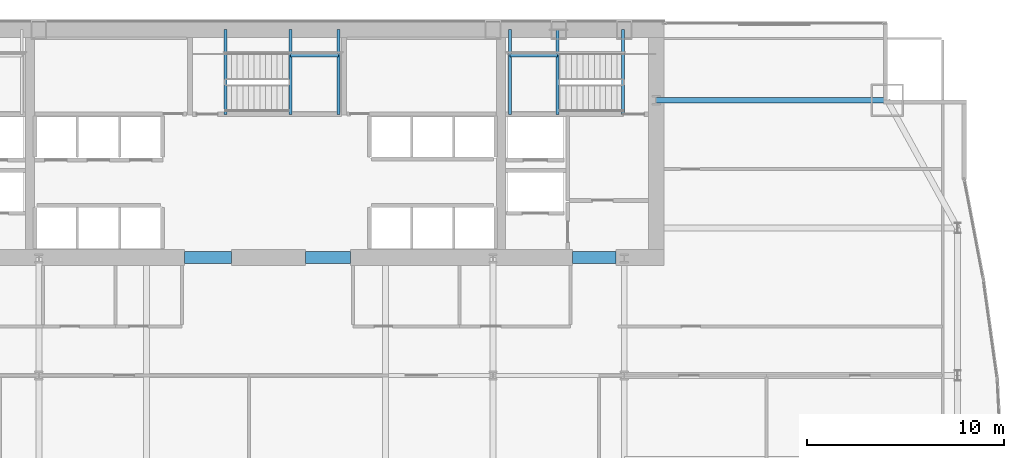
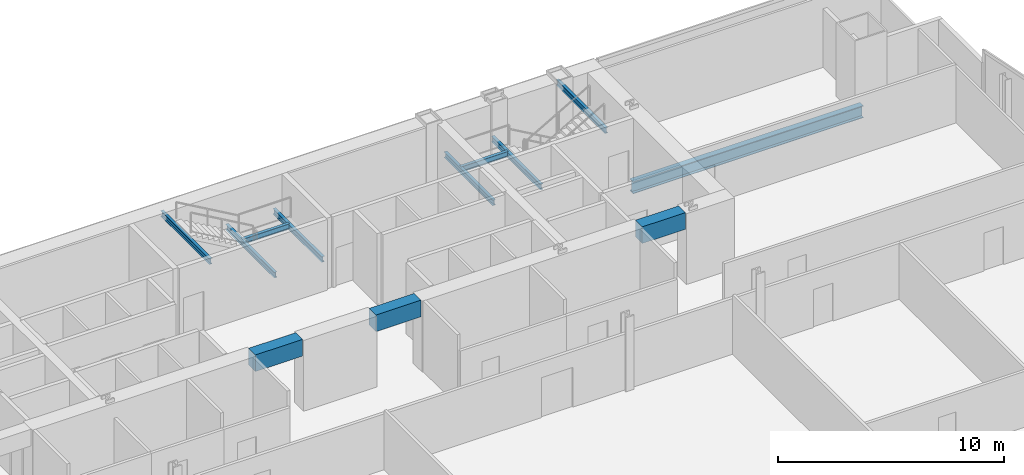
# One storey, part 19 of 37: 12 beams.
"""IFC4 building model written with IfcOpenShell, lengths in metres."""

from ifc_helpers import new_model, si_unit, direction, frame, origin, origin_2d, place, context, subcontext, project, spatial, rectangle, i_section, extrude, material, material_profile, profile_set, type_object, element, save


model = new_model("IFC4")

# Units and contexts
model_context = context("Model", 3, precision=1e-05, world=origin(), true_north=direction((0.0, 1.0)))
body_context = subcontext(model_context, "Body", "Model", "MODEL_VIEW")
ifc_project = project(units=[si_unit("LENGTHUNIT", "METRE"), si_unit("AREAUNIT", "SQUARE_METRE"), si_unit("VOLUMEUNIT", "CUBIC_METRE"), si_unit("PLANEANGLEUNIT", "RADIAN"), si_unit("MASSUNIT", "GRAM", prefix="KILO")], contexts=[model_context])

# Site, building, storey
site_placement = place(None, origin())
site = spatial("IfcSite", under=ifc_project, at=site_placement, CompositionType="ELEMENT")
building_placement = place(site_placement, origin())
building = spatial("IfcBuilding", under=site, at=building_placement, Name="Khoronbel Lancet Exchange", CompositionType="ELEMENT")
storey_placement = place(building_placement, frame((0.0, 0.0, 45.800048828125)))
storey = spatial("IfcBuildingStorey", under=building, at=storey_placement, Name="L10", CompositionType="ELEMENT", Elevation=45.800048828125)

# Beams
ifc_material_1 = material(Name="Steel S355", Category="steel")
ifc_material_profile_1 = material_profile(ifc_material_1, i_section(OverallWidth=0.14990234375, OverallDepth=0.300048828125, WebThickness=0.007080078125, FlangeThickness=0.0107421875, at=origin_2d()), Name="IPE 300")
ifc_profile_set_1 = profile_set([ifc_material_profile_1], Name="Steel S355")
beam_type_1 = type_object("IfcBeamType", Name="BM-BJ8", PredefinedType="JOIST", material=ifc_profile_set_1)
for number, where, z_axis, x_axis, name in (
    (1, (51.2900390625, 48.97998046875, 1.64990234375), (0.0, 1.0, 0.0), (-1.0, 0.0, 0.0), "Level L10 stair ST2 landing bearer beam 1"),
    (2, (48.8701171875, 48.97998046875, 1.64990234375), (0.0, 1.0, 0.0), (-1.0, 0.0, 0.0), "Level L10 stair ST2 rear landing bearer beam 1"),
):
    element("IfcBeam", number, at=place(storey_placement, frame(where, z_axis=z_axis, x_axis=x_axis)), inside=storey, type_object=beam_type_1, Name=name, PredefinedType="JOIST", context=body_context, shape_type="SweptSolid", body=[
        extrude(i_section(OverallWidth=0.14990234375, OverallDepth=0.300048828125, WebThickness=0.007080078125, FlangeThickness=0.0107421875, at=origin_2d()), origin(), (0.0, 0.0, 1.0), 4.320068359375),
    ])
beam_1_placement = place(storey_placement, frame((48.8701171875, 51.97998046875, 1.64990234375), z_axis=(1.0, 0.0, 0.0), x_axis=(0.0, 1.0, 0.0)))
element("IfcBeam", 3, at=beam_1_placement, inside=storey, type_object=beam_type_1, Name="Level L10 stair ST2 landing cross trimmer beam 1", PredefinedType="JOIST", context=body_context, shape_type="SweptSolid", body=[
    extrude(i_section(OverallWidth=0.14990234375, OverallDepth=0.300048828125, WebThickness=0.007080078125, FlangeThickness=0.0107421875, at=origin_2d()), origin(), (0.0, 0.0, 1.0), 2.419921875),
])
for number, where, z_axis, x_axis, name in (
    (4, (54.60009765625, 48.97998046875, 3.5400390625), (0.0, 1.0, 0.0), (-1.0, 0.0, 0.0), "Level L10 stair ST2 upper-flight arrival trimmer beam"),
    (5, (37.7099609375, 48.97998046875, 1.64990234375), (0.0, 1.0, 0.0), (-1.0, 0.0, 0.0), "Level L10 stair ST3 landing bearer beam 1"),
    (6, (40.1298828125, 48.97998046875, 1.64990234375), (0.0, 1.0, 0.0), (-1.0, 0.0, 0.0), "Level L10 stair ST3 rear landing bearer beam 1"),
):
    element("IfcBeam", number, at=place(storey_placement, frame(where, z_axis=z_axis, x_axis=x_axis)), inside=storey, type_object=beam_type_1, Name=name, PredefinedType="JOIST", context=body_context, shape_type="SweptSolid", body=[
        extrude(i_section(OverallWidth=0.14990234375, OverallDepth=0.300048828125, WebThickness=0.007080078125, FlangeThickness=0.0107421875, at=origin_2d()), origin(), (0.0, 0.0, 1.0), 4.320068359375),
    ])
beam_2_placement = place(storey_placement, frame((37.7099609375, 51.97998046875, 1.64990234375), z_axis=(1.0, 0.0, 0.0), x_axis=(0.0, 1.0, 0.0)))
element("IfcBeam", 7, at=beam_2_placement, inside=storey, type_object=beam_type_1, Name="Level L10 stair ST3 landing cross trimmer beam 1", PredefinedType="JOIST", context=body_context, shape_type="SweptSolid", body=[
    extrude(i_section(OverallWidth=0.14990234375, OverallDepth=0.300048828125, WebThickness=0.007080078125, FlangeThickness=0.0107421875, at=origin_2d()), origin(), (0.0, 0.0, 1.0), 2.419921875),
])
beam_3_placement = place(storey_placement, frame((34.39990234375, 48.97998046875, 3.5400390625), z_axis=(0.0, 1.0, 0.0), x_axis=(-1.0, 0.0, 0.0)))
element("IfcBeam", 8, at=beam_3_placement, inside=storey, type_object=beam_type_1, Name="Level L10 stair ST3 upper-flight arrival trimmer beam", PredefinedType="JOIST", context=body_context, shape_type="SweptSolid", body=[
    extrude(i_section(OverallWidth=0.14990234375, OverallDepth=0.300048828125, WebThickness=0.007080078125, FlangeThickness=0.0107421875, at=origin_2d()), origin(), (0.0, 0.0, 1.0), 4.320068359375),
])
ifc_material_2 = material(Name="Concrete C80/95", Category="concrete")
ifc_material_profile_2 = material_profile(ifc_material_2, rectangle(XDim=0.60009765625, YDim=0.89990234375, at=origin_2d()), Name="RC 600x900")
ifc_profile_set_2 = profile_set([ifc_material_profile_2], Name="Concrete C80/95")
beam_type_2 = type_object("IfcBeamType", Name="BM-BL1", PredefinedType="LINTEL", material=ifc_profile_set_2)
beam_4_placement = place(storey_placement, frame((32.300048828125, 41.699951171875, 3.369873046875), z_axis=(1.0, 0.0, 0.0), x_axis=(0.0, 1.0, 0.0)))
element("IfcBeam", 9, at=beam_4_placement, inside=storey, type_object=beam_type_2, Name="Level L10 rear core coupling lintel L2", PredefinedType="LINTEL", context=body_context, shape_type="SweptSolid", body=[
    extrude(rectangle(XDim=0.60009765625, YDim=0.89990234375, at=origin_2d()), origin(), (0.0, 0.0, 1.0), 2.39990234375),
])
beam_5_placement = place(storey_placement, frame((38.449951171875, 41.699951171875, 3.369873046875), z_axis=(1.0, 0.0, 0.0), x_axis=(0.0, 1.0, 0.0)))
element("IfcBeam", 10, at=beam_5_placement, inside=storey, type_object=beam_type_2, Name="Level L10 rear core coupling lintel L3", PredefinedType="LINTEL", context=body_context, shape_type="SweptSolid", body=[
    extrude(rectangle(XDim=0.60009765625, YDim=0.89990234375, at=origin_2d()), origin(), (0.0, 0.0, 1.0), 2.300048828125),
])
beam_6_placement = place(storey_placement, frame((52.050048828125, 41.699951171875, 3.369873046875), z_axis=(1.0, 0.0, 0.0), x_axis=(0.0, 1.0, 0.0)))
element("IfcBeam", 11, at=beam_6_placement, inside=storey, type_object=beam_type_2, Name="Level L10 rear core coupling lintel L4", PredefinedType="LINTEL", context=body_context, shape_type="SweptSolid", body=[
    extrude(rectangle(XDim=0.60009765625, YDim=0.89990234375, at=origin_2d()), origin(), (0.0, 0.0, 1.0), 2.199951171875),
])
ifc_material_profile_3 = material_profile(ifc_material_1, i_section(OverallWidth=0.300048828125, OverallDepth=0.64990234375, WebThickness=0.01611328125, FlangeThickness=0.031005859375, at=origin_2d()), Name="HEB 650")
ifc_profile_set_3 = profile_set([ifc_material_profile_3], Name="Steel S355")
beam_type_3 = type_object("IfcBeamType", Name="BM-BSP1", PredefinedType="SPANDREL", material=ifc_profile_set_3)
beam_7_placement = place(storey_placement, frame((68.050048828125, 49.699951171875, -0.505126953125), z_axis=(-1.0, 0.0, 0.0), x_axis=(0.0, -1.0, 0.0)))
element("IfcBeam", 12, at=beam_7_placement, inside=storey, type_object=beam_type_3, Name="Level L10 north flank tie spandrel SP23", PredefinedType="SPANDREL", context=body_context, shape_type="SweptSolid", body=[
    extrude(i_section(OverallWidth=0.300048828125, OverallDepth=0.64990234375, WebThickness=0.01611328125, FlangeThickness=0.031005859375, at=origin_2d()), origin(), (0.0, 0.0, 1.0), 11.75),
])

save(model, "model.ifc")
